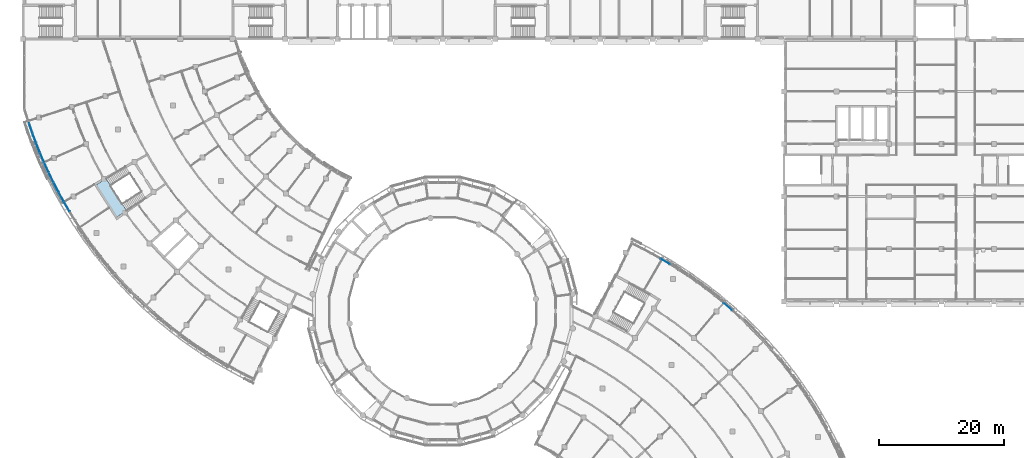
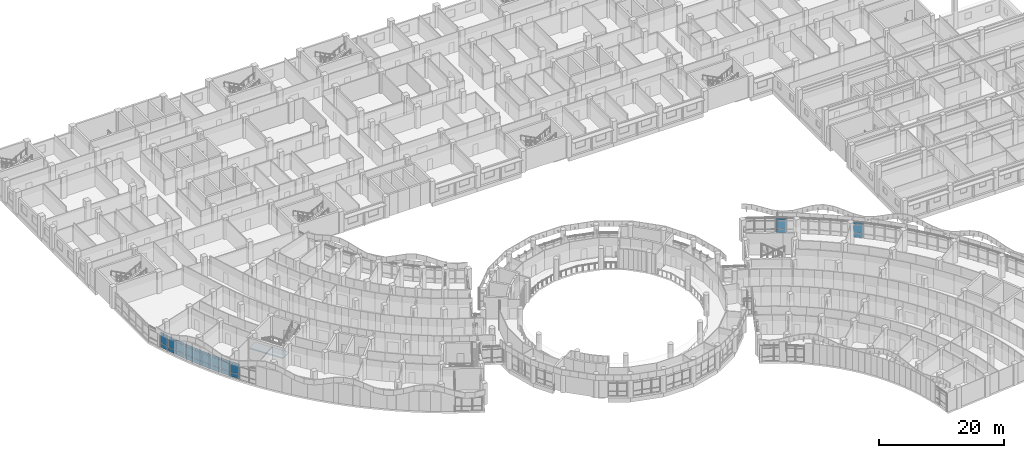
# One storey, part 37 of 109: 33 plates, 1 slab, 6 elements without a shape of their own.
"""IFC4 building model written with IfcOpenShell, lengths in metres."""

from ifc_helpers import new_model, si_unit, direction, frame, origin, origin_2d, place, context, subcontext, project, spatial, polyline, rectangle, outline, extrude, material, layer, layer_set, type_object, element, aggregate, save


model = new_model("IFC4")

# Units and contexts
model_context = context("Model", 3, precision=1e-05, world=origin(), true_north=direction((0.0, 1.0)))
body_context = subcontext(model_context, "Body", "Model", "MODEL_VIEW")
ifc_project = project(units=[si_unit("LENGTHUNIT", "METRE"), si_unit("AREAUNIT", "SQUARE_METRE"), si_unit("VOLUMEUNIT", "CUBIC_METRE"), si_unit("PLANEANGLEUNIT", "RADIAN"), si_unit("MASSUNIT", "GRAM", prefix="KILO")], contexts=[model_context])

# Site, building, storey
site_placement = place(None, origin())
site = spatial("IfcSite", under=ifc_project, at=site_placement, CompositionType="ELEMENT")
building_placement = place(site_placement, origin())
building = spatial("IfcBuilding", under=site, at=building_placement, Name="Bougainvillea Quay General Hospital", CompositionType="ELEMENT")
storey_placement = place(building_placement, frame((0.0, 0.0, 12.60009765625)))
storey = spatial("IfcBuildingStorey", under=building, at=storey_placement, Name="L02", CompositionType="ELEMENT", Elevation=12.60009765625)

# Curtain wall, plates
ifc_material_1 = material(Name="Aluminium curtain wall system, powder-coated glazed", Category="aluminium")
curtain_wall_type = type_object("IfcCurtainWallType", Name="Unitised curtain wall CW-2100", PredefinedType="NOTDEFINED", material=ifc_material_1)
curtain_wall_1_placement = place(storey_placement, origin())
curtain_wall_1 = element("IfcCurtainWall", 1, at=curtain_wall_1_placement, inside=storey, type_object=curtain_wall_type, Name="CW-W06 a01b5", PredefinedType="NOTDEFINED")
ifc_material_2 = material(Name="Insulated aluminium spandrel panel, white", Category="aluminium")
ifc_layer_1 = layer(ifc_material_2, 0.028076171875)
ifc_layer_set_1 = layer_set([ifc_layer_1], Name="Insulated aluminium spandrel panel, white")
plate_type_1 = type_object("IfcPlateType", Name="Insulated spandrel panel white 28", PredefinedType="CURTAIN_PANEL", material=ifc_layer_set_1)
plate_1_placement = place(storey_placement, frame((49.024169921875, 90.741943359375, 0.059814453125), z_axis=(0.0, 0.0, 1.0), x_axis=(-0.505348661129, 0.862915251166, 0.0)))
plate_1 = element("IfcPlate", 2, at=plate_1_placement, type_object=plate_type_1, Name="CW-W06 spandrel panel 4.1", PredefinedType="CURTAIN_PANEL", context=body_context, shape_type="SweptSolid", body=[
    extrude(rectangle(XDim=1.6787109375, YDim=0.028076171875, at=origin_2d()), origin(), (0.0, 0.0, 1.0), 0.81005859375),
])
plate_2_placement = place(storey_placement, frame((49.024169921875, 90.741943359375, 2.580078125), z_axis=(0.0, 0.0, 1.0), x_axis=(-0.505348661129, 0.862915251166, 0.0)))
plate_2 = element("IfcPlate", 3, at=plate_2_placement, type_object=plate_type_1, Name="CW-W06 spandrel panel 4.3", PredefinedType="CURTAIN_PANEL", context=body_context, shape_type="SweptSolid", body=[
    extrude(rectangle(XDim=1.6787109375, YDim=0.028076171875, at=origin_2d()), origin(), (0.0, 0.0, 1.0), 0.409912109375),
])

curtain_wall_2_placement = place(storey_placement, origin())
curtain_wall_2 = element("IfcCurtainWall", 4, at=curtain_wall_2_placement, inside=storey, type_object=curtain_wall_type, Name="CW-W07 a01b6", PredefinedType="NOTDEFINED")
plate_3_placement = place(storey_placement, frame((48.135009765625, 92.305419921875, 0.059814453125), z_axis=(0.0, 0.0, 1.0), x_axis=(-0.483305302697, 0.875451874397, 0.0)))
plate_3 = element("IfcPlate", 5, at=plate_3_placement, type_object=plate_type_1, Name="CW-W07 spandrel panel 1.1", PredefinedType="CURTAIN_PANEL", context=body_context, shape_type="SweptSolid", body=[
    extrude(rectangle(XDim=1.6787109375, YDim=0.028076171875, at=origin_2d()), origin(), (0.0, 0.0, 1.0), 0.81005859375),
])
plate_4_placement = place(storey_placement, frame((48.135009765625, 92.305419921875, 2.580078125), z_axis=(0.0, 0.0, 1.0), x_axis=(-0.483305302697, 0.875451874397, 0.0)))
plate_4 = element("IfcPlate", 6, at=plate_4_placement, type_object=plate_type_1, Name="CW-W07 spandrel panel 1.3", PredefinedType="CURTAIN_PANEL", context=body_context, shape_type="SweptSolid", body=[
    extrude(rectangle(XDim=1.6787109375, YDim=0.028076171875, at=origin_2d()), origin(), (0.0, 0.0, 1.0), 0.409912109375),
])
plate_5_placement = place(storey_placement, frame((47.30712890625, 93.851318359375, 0.059814453125), z_axis=(0.0, 0.0, 1.0), x_axis=(-0.460951141948, 0.887425515036, 0.0)))
plate_5 = element("IfcPlate", 7, at=plate_5_placement, type_object=plate_type_1, Name="CW-W07 spandrel panel 2.1", PredefinedType="CURTAIN_PANEL", context=body_context, shape_type="SweptSolid", body=[
    extrude(rectangle(XDim=1.708740234375, YDim=0.028076171875, at=origin_2d()), origin(), (0.0, 0.0, 1.0), 0.81005859375),
])
plate_6_placement = place(storey_placement, frame((47.30712890625, 93.851318359375, 2.580078125), z_axis=(0.0, 0.0, 1.0), x_axis=(-0.460951141948, 0.887425515036, 0.0)))
plate_6 = element("IfcPlate", 8, at=plate_6_placement, type_object=plate_type_1, Name="CW-W07 spandrel panel 2.3", PredefinedType="CURTAIN_PANEL", context=body_context, shape_type="SweptSolid", body=[
    extrude(rectangle(XDim=1.708740234375, YDim=0.028076171875, at=origin_2d()), origin(), (0.0, 0.0, 1.0), 0.409912109375),
])
plate_7_placement = place(storey_placement, frame((46.51171875, 95.430908203125, 0.059814453125), z_axis=(0.0, 0.0, 1.0), x_axis=(-0.438300554318, 0.898828473116, 0.0)))
plate_7 = element("IfcPlate", 9, at=plate_7_placement, type_object=plate_type_1, Name="CW-W07 spandrel panel 3.1", PredefinedType="CURTAIN_PANEL", context=body_context, shape_type="SweptSolid", body=[
    extrude(rectangle(XDim=1.708740234375, YDim=0.028076171875, at=origin_2d()), origin(), (0.0, 0.0, 1.0), 0.81005859375),
])
plate_8_placement = place(storey_placement, frame((46.51171875, 95.430908203125, 2.580078125), z_axis=(0.0, 0.0, 1.0), x_axis=(-0.438300554318, 0.898828473116, 0.0)))
plate_8 = element("IfcPlate", 10, at=plate_8_placement, type_object=plate_type_1, Name="CW-W07 spandrel panel 3.3", PredefinedType="CURTAIN_PANEL", context=body_context, shape_type="SweptSolid", body=[
    extrude(rectangle(XDim=1.708740234375, YDim=0.028076171875, at=origin_2d()), origin(), (0.0, 0.0, 1.0), 0.409912109375),
])
plate_9_placement = place(storey_placement, frame((45.762939453125, 97.016845703125, 0.059814453125), z_axis=(0.0, 0.0, 1.0), x_axis=(-0.415368105869, 0.909653415663, 0.0)))
plate_9 = element("IfcPlate", 11, at=plate_9_placement, type_object=plate_type_1, Name="CW-W07 spandrel panel 4.1", PredefinedType="CURTAIN_PANEL", context=body_context, shape_type="SweptSolid", body=[
    extrude(rectangle(XDim=1.6787109375, YDim=0.028076171875, at=origin_2d()), origin(), (0.0, 0.0, 1.0), 0.81005859375),
])
plate_10_placement = place(storey_placement, frame((45.762939453125, 97.016845703125, 2.580078125), z_axis=(0.0, 0.0, 1.0), x_axis=(-0.415368105869, 0.909653415663, 0.0)))
plate_10 = element("IfcPlate", 12, at=plate_10_placement, type_object=plate_type_1, Name="CW-W07 spandrel panel 4.3", PredefinedType="CURTAIN_PANEL", context=body_context, shape_type="SweptSolid", body=[
    extrude(rectangle(XDim=1.6787109375, YDim=0.028076171875, at=origin_2d()), origin(), (0.0, 0.0, 1.0), 0.409912109375),
])

curtain_wall_3_placement = place(storey_placement, origin())
curtain_wall_3 = element("IfcCurtainWall", 13, at=curtain_wall_3_placement, inside=storey, type_object=curtain_wall_type, Name="CW-W08 a01b7", PredefinedType="NOTDEFINED")
plate_11_placement = place(storey_placement, frame((45.052734375, 98.623779296875, 0.059814453125), z_axis=(0.0, 0.0, 1.0), x_axis=(-0.392718634519, 0.919658672607, 0.0)))
plate_11 = element("IfcPlate", 14, at=plate_11_placement, type_object=plate_type_1, Name="CW-W08 spandrel panel 1.1", PredefinedType="CURTAIN_PANEL", context=body_context, shape_type="SweptSolid", body=[
    extrude(rectangle(XDim=1.595458984375, YDim=0.028076171875, at=origin_2d()), origin(), (0.0, 0.0, 1.0), 0.81005859375),
])
plate_12_placement = place(storey_placement, frame((45.052734375, 98.623779296875, 2.580078125), z_axis=(0.0, 0.0, 1.0), x_axis=(-0.392718634519, 0.919658672607, 0.0)))
plate_12 = element("IfcPlate", 15, at=plate_12_placement, type_object=plate_type_1, Name="CW-W08 spandrel panel 1.3", PredefinedType="CURTAIN_PANEL", context=body_context, shape_type="SweptSolid", body=[
    extrude(rectangle(XDim=1.595458984375, YDim=0.028076171875, at=origin_2d()), origin(), (0.0, 0.0, 1.0), 0.409912109375),
])
plate_13_placement = place(storey_placement, frame((44.41552734375, 100.167724609375, 0.059814453125), z_axis=(0.0, 0.0, 1.0), x_axis=(-0.370383986757, 0.928878733934, 0.0)))
plate_13 = element("IfcPlate", 16, at=plate_13_placement, type_object=plate_type_1, Name="CW-W08 spandrel panel 2.1", PredefinedType="CURTAIN_PANEL", context=body_context, shape_type="SweptSolid", body=[
    extrude(rectangle(XDim=1.625244140625, YDim=0.028076171875, at=origin_2d()), origin(), (0.0, 0.0, 1.0), 0.81005859375),
])
plate_14_placement = place(storey_placement, frame((44.41552734375, 100.167724609375, 2.580078125), z_axis=(0.0, 0.0, 1.0), x_axis=(-0.370383986757, 0.928878733934, 0.0)))
plate_14 = element("IfcPlate", 17, at=plate_14_placement, type_object=plate_type_1, Name="CW-W08 spandrel panel 2.3", PredefinedType="CURTAIN_PANEL", context=body_context, shape_type="SweptSolid", body=[
    extrude(rectangle(XDim=1.625244140625, YDim=0.028076171875, at=origin_2d()), origin(), (0.0, 0.0, 1.0), 0.409912109375),
])
plate_15_placement = place(storey_placement, frame((43.810302734375, 101.740478515625, 0.059814453125), z_axis=(0.0, 0.0, 1.0), x_axis=(-0.347833091778, 0.937556473107, 0.0)))
plate_15 = element("IfcPlate", 18, at=plate_15_placement, type_object=plate_type_1, Name="CW-W08 spandrel panel 3.1", PredefinedType="CURTAIN_PANEL", context=body_context, shape_type="SweptSolid", body=[
    extrude(rectangle(XDim=1.625244140625, YDim=0.028076171875, at=origin_2d()), origin(), (0.0, 0.0, 1.0), 0.81005859375),
])
plate_16_placement = place(storey_placement, frame((43.810302734375, 101.740478515625, 2.580078125), z_axis=(0.0, 0.0, 1.0), x_axis=(-0.347833091778, 0.937556473107, 0.0)))
plate_16 = element("IfcPlate", 19, at=plate_16_placement, type_object=plate_type_1, Name="CW-W08 spandrel panel 3.3", PredefinedType="CURTAIN_PANEL", context=body_context, shape_type="SweptSolid", body=[
    extrude(rectangle(XDim=1.625244140625, YDim=0.028076171875, at=origin_2d()), origin(), (0.0, 0.0, 1.0), 0.409912109375),
])
plate_17_placement = place(storey_placement, frame((43.248046875, 103.313232421875, 0.059814453125), z_axis=(0.0, 0.0, 1.0), x_axis=(-0.325079115849, 0.945686823657, 0.0)))
plate_17 = element("IfcPlate", 20, at=plate_17_placement, type_object=plate_type_1, Name="CW-W08 spandrel panel 4.1", PredefinedType="CURTAIN_PANEL", context=body_context, shape_type="SweptSolid", body=[
    extrude(rectangle(XDim=1.595458984375, YDim=0.028076171875, at=origin_2d()), origin(), (0.0, 0.0, 1.0), 0.81005859375),
])
plate_18_placement = place(storey_placement, frame((43.248046875, 103.313232421875, 2.580078125), z_axis=(0.0, 0.0, 1.0), x_axis=(-0.325079115849, 0.945686823657, 0.0)))
plate_18 = element("IfcPlate", 21, at=plate_18_placement, type_object=plate_type_1, Name="CW-W08 spandrel panel 4.3", PredefinedType="CURTAIN_PANEL", context=body_context, shape_type="SweptSolid", body=[
    extrude(rectangle(XDim=1.595458984375, YDim=0.028076171875, at=origin_2d()), origin(), (0.0, 0.0, 1.0), 0.409912109375),
])

curtain_wall_4_placement = place(storey_placement, origin())
curtain_wall_4 = element("IfcCurtainWall", 22, at=curtain_wall_4_placement, inside=storey, type_object=curtain_wall_type, Name="CW-E01 a23b0", PredefinedType="NOTDEFINED")
plate_19_placement = place(storey_placement, frame((144.81005859375, 81.969482421875, 0.059814453125), z_axis=(0.0, 0.0, 1.0), x_axis=(0.859835039032, -0.510571939743, 0.0)))
plate_19 = element("IfcPlate", 23, at=plate_19_placement, type_object=plate_type_1, Name="CW-E01 spandrel panel 4.1", PredefinedType="CURTAIN_PANEL", context=body_context, shape_type="SweptSolid", body=[
    extrude(rectangle(XDim=1.65234375, YDim=0.028076171875, at=origin_2d()), origin(), (0.0, 0.0, 1.0), 0.81005859375),
])
plate_20_placement = place(storey_placement, frame((144.81005859375, 81.969482421875, 2.580078125), z_axis=(0.0, 0.0, 1.0), x_axis=(0.859835039032, -0.510571939743, 0.0)))
plate_20 = element("IfcPlate", 24, at=plate_20_placement, type_object=plate_type_1, Name="CW-E01 spandrel panel 4.3", PredefinedType="CURTAIN_PANEL", context=body_context, shape_type="SweptSolid", body=[
    extrude(rectangle(XDim=1.65234375, YDim=0.028076171875, at=origin_2d()), origin(), (0.0, 0.0, 1.0), 0.409912109375),
])

curtain_wall_5_placement = place(storey_placement, origin())
curtain_wall_5 = element("IfcCurtainWall", 25, at=curtain_wall_5_placement, inside=storey, type_object=curtain_wall_type, Name="CW-E03 a23b2", PredefinedType="NOTDEFINED")
plate_21_placement = place(storey_placement, frame((154.8349609375, 74.74267578125, 0.059814453125), z_axis=(0.0, 0.0, 1.0), x_axis=(0.756365184815, -0.65414960613, 0.0)))
plate_21 = element("IfcPlate", 26, at=plate_21_placement, type_object=plate_type_1, Name="CW-E03 spandrel panel 1.1", PredefinedType="CURTAIN_PANEL", context=body_context, shape_type="SweptSolid", body=[
    extrude(rectangle(XDim=1.690185546875, YDim=0.028076171875, at=origin_2d()), origin(), (0.0, 0.0, 1.0), 0.81005859375),
])
plate_22_placement = place(storey_placement, frame((154.8349609375, 74.74267578125, 2.580078125), z_axis=(0.0, 0.0, 1.0), x_axis=(0.756365184815, -0.65414960613, 0.0)))
plate_22 = element("IfcPlate", 27, at=plate_22_placement, type_object=plate_type_1, Name="CW-E03 spandrel panel 1.3", PredefinedType="CURTAIN_PANEL", context=body_context, shape_type="SweptSolid", body=[
    extrude(rectangle(XDim=1.690185546875, YDim=0.028076171875, at=origin_2d()), origin(), (0.0, 0.0, 1.0), 0.409912109375),
])

# Plate
ifc_material_3 = material(Name="Low-e laminated glass, solar control", Category="glass")
ifc_layer_2 = layer(ifc_material_3, 0.028076171875)
ifc_layer_set_2 = layer_set([ifc_layer_2], Name="Low-e laminated glass, solar control")
plate_type_2 = type_object("IfcPlateType", Name="Low-e laminated vision glass 28", PredefinedType="CURTAIN_PANEL", material=ifc_layer_set_2)
plate_23_placement = place(storey_placement, frame((49.024169921875, 90.741943359375, 0.9296875), z_axis=(0.0, 0.0, 1.0), x_axis=(-0.505348661129, 0.862915251166, 0.0)))
plate_23 = element("IfcPlate", 28, at=plate_23_placement, type_object=plate_type_2, Name="CW-W06 vision glass panel 4.2", PredefinedType="CURTAIN_PANEL", context=body_context, shape_type="SweptSolid", body=[
    extrude(rectangle(XDim=1.6787109375, YDim=0.028076171875, at=origin_2d()), origin(), (0.0, 0.0, 1.0), 1.590087890625),
])

aggregate(curtain_wall_1, [plate_1, plate_23, plate_2])

plate_24_placement = place(storey_placement, frame((48.135009765625, 92.305419921875, 0.9296875), z_axis=(0.0, 0.0, 1.0), x_axis=(-0.483305302697, 0.875451874397, 0.0)))
plate_24 = element("IfcPlate", 29, at=plate_24_placement, type_object=plate_type_2, Name="CW-W07 vision glass panel 1.2", PredefinedType="CURTAIN_PANEL", context=body_context, shape_type="SweptSolid", body=[
    extrude(rectangle(XDim=1.6787109375, YDim=0.028076171875, at=origin_2d()), origin(), (0.0, 0.0, 1.0), 1.590087890625),
])

plate_25_placement = place(storey_placement, frame((47.30712890625, 93.851318359375, 0.9296875), z_axis=(0.0, 0.0, 1.0), x_axis=(-0.460951141948, 0.887425515036, 0.0)))
plate_25 = element("IfcPlate", 30, at=plate_25_placement, type_object=plate_type_2, Name="CW-W07 vision glass panel 2.2", PredefinedType="CURTAIN_PANEL", context=body_context, shape_type="SweptSolid", body=[
    extrude(rectangle(XDim=1.708740234375, YDim=0.028076171875, at=origin_2d()), origin(), (0.0, 0.0, 1.0), 1.590087890625),
])

plate_26_placement = place(storey_placement, frame((46.51171875, 95.430908203125, 0.9296875), z_axis=(0.0, 0.0, 1.0), x_axis=(-0.438300554318, 0.898828473116, 0.0)))
plate_26 = element("IfcPlate", 31, at=plate_26_placement, type_object=plate_type_2, Name="CW-W07 vision glass panel 3.2", PredefinedType="CURTAIN_PANEL", context=body_context, shape_type="SweptSolid", body=[
    extrude(rectangle(XDim=1.708740234375, YDim=0.028076171875, at=origin_2d()), origin(), (0.0, 0.0, 1.0), 1.590087890625),
])

plate_27_placement = place(storey_placement, frame((45.762939453125, 97.016845703125, 0.9296875), z_axis=(0.0, 0.0, 1.0), x_axis=(-0.415368105869, 0.909653415663, 0.0)))
plate_27 = element("IfcPlate", 32, at=plate_27_placement, type_object=plate_type_2, Name="CW-W07 vision glass panel 4.2", PredefinedType="CURTAIN_PANEL", context=body_context, shape_type="SweptSolid", body=[
    extrude(rectangle(XDim=1.6787109375, YDim=0.028076171875, at=origin_2d()), origin(), (0.0, 0.0, 1.0), 1.590087890625),
])

aggregate(curtain_wall_2, [plate_3, plate_24, plate_4, plate_5, plate_25, plate_6, plate_7, plate_26, plate_8, plate_9, plate_27, plate_10])

plate_28_placement = place(storey_placement, frame((45.052734375, 98.623779296875, 0.9296875), z_axis=(0.0, 0.0, 1.0), x_axis=(-0.392718634519, 0.919658672607, 0.0)))
plate_28 = element("IfcPlate", 33, at=plate_28_placement, type_object=plate_type_2, Name="CW-W08 vision glass panel 1.2", PredefinedType="CURTAIN_PANEL", context=body_context, shape_type="SweptSolid", body=[
    extrude(rectangle(XDim=1.595458984375, YDim=0.028076171875, at=origin_2d()), origin(), (0.0, 0.0, 1.0), 1.590087890625),
])

plate_29_placement = place(storey_placement, frame((44.41552734375, 100.167724609375, 0.9296875), z_axis=(0.0, 0.0, 1.0), x_axis=(-0.370383986757, 0.928878733934, 0.0)))
plate_29 = element("IfcPlate", 34, at=plate_29_placement, type_object=plate_type_2, Name="CW-W08 vision glass panel 2.2", PredefinedType="CURTAIN_PANEL", context=body_context, shape_type="SweptSolid", body=[
    extrude(rectangle(XDim=1.625244140625, YDim=0.028076171875, at=origin_2d()), origin(), (0.0, 0.0, 1.0), 1.590087890625),
])

plate_30_placement = place(storey_placement, frame((43.810302734375, 101.740478515625, 0.9296875), z_axis=(0.0, 0.0, 1.0), x_axis=(-0.347833091778, 0.937556473107, 0.0)))
plate_30 = element("IfcPlate", 35, at=plate_30_placement, type_object=plate_type_2, Name="CW-W08 vision glass panel 3.2", PredefinedType="CURTAIN_PANEL", context=body_context, shape_type="SweptSolid", body=[
    extrude(rectangle(XDim=1.625244140625, YDim=0.028076171875, at=origin_2d()), origin(), (0.0, 0.0, 1.0), 1.590087890625),
])

plate_31_placement = place(storey_placement, frame((43.248046875, 103.313232421875, 0.9296875), z_axis=(0.0, 0.0, 1.0), x_axis=(-0.325079115849, 0.945686823657, 0.0)))
plate_31 = element("IfcPlate", 36, at=plate_31_placement, type_object=plate_type_2, Name="CW-W08 vision glass panel 4.2", PredefinedType="CURTAIN_PANEL", context=body_context, shape_type="SweptSolid", body=[
    extrude(rectangle(XDim=1.595458984375, YDim=0.028076171875, at=origin_2d()), origin(), (0.0, 0.0, 1.0), 1.590087890625),
])

aggregate(curtain_wall_3, [plate_11, plate_28, plate_12, plate_13, plate_29, plate_14, plate_15, plate_30, plate_16, plate_17, plate_31, plate_18])

plate_32_placement = place(storey_placement, frame((144.81005859375, 81.969482421875, 0.9296875), z_axis=(0.0, 0.0, 1.0), x_axis=(0.859835039032, -0.510571939743, 0.0)))
plate_32 = element("IfcPlate", 37, at=plate_32_placement, type_object=plate_type_2, Name="CW-E01 vision glass panel 4.2", PredefinedType="CURTAIN_PANEL", context=body_context, shape_type="SweptSolid", body=[
    extrude(rectangle(XDim=1.65234375, YDim=0.028076171875, at=origin_2d()), origin(), (0.0, 0.0, 1.0), 1.590087890625),
])

aggregate(curtain_wall_4, [plate_19, plate_32, plate_20])

plate_33_placement = place(storey_placement, frame((154.8349609375, 74.74267578125, 0.9296875), z_axis=(0.0, 0.0, 1.0), x_axis=(0.756365184815, -0.65414960613, 0.0)))
plate_33 = element("IfcPlate", 38, at=plate_33_placement, type_object=plate_type_2, Name="CW-E03 vision glass panel 1.2", PredefinedType="CURTAIN_PANEL", context=body_context, shape_type="SweptSolid", body=[
    extrude(rectangle(XDim=1.690185546875, YDim=0.028076171875, at=origin_2d()), origin(), (0.0, 0.0, 1.0), 1.590087890625),
])

aggregate(curtain_wall_5, [plate_21, plate_33, plate_22])

# Stair, slab
ifc_material_4 = material(Name="Concrete C35", Category="concrete")
stair_type = type_object("IfcStairType", Name="Stair half-turn 1350 wide", PredefinedType="HALF_TURN_STAIR", material=ifc_material_4)
stair_placement = place(storey_placement, origin())
stair = element("IfcStair", 39, at=stair_placement, inside=storey, type_object=stair_type, Name="L02 stair ST-W2", PredefinedType="HALF_TURN_STAIR")
ifc_layer_3 = layer(ifc_material_4, 0.199951171875)
ifc_layer_set_3 = layer_set([ifc_layer_3], Name="Concrete C35")
slab_type = type_object("IfcSlabType", Name="Stair landing 200", PredefinedType="LANDING", material=ifc_layer_set_3)
slab_placement = place(storey_placement, frame((0.0, 0.0, 1.89990234375)))
slab = element("IfcSlab", 40, at=slab_placement, type_object=slab_type, Name="ST-W2 landing 1", PredefinedType="LANDING", context=body_context, shape_type="SweptSolid", body=[
    extrude(outline(polyline([(55.304931640625, 95.250732421875), (53.680419921875, 94.214111328125), (56.9736328125, 89.053466796875), (58.59814453125, 90.090087890625), (55.304931640625, 95.250732421875)])), origin(), (0.0, 0.0, 1.0), 0.199951171875),
])
aggregate(stair, [slab])

save(model, "model.ifc")
